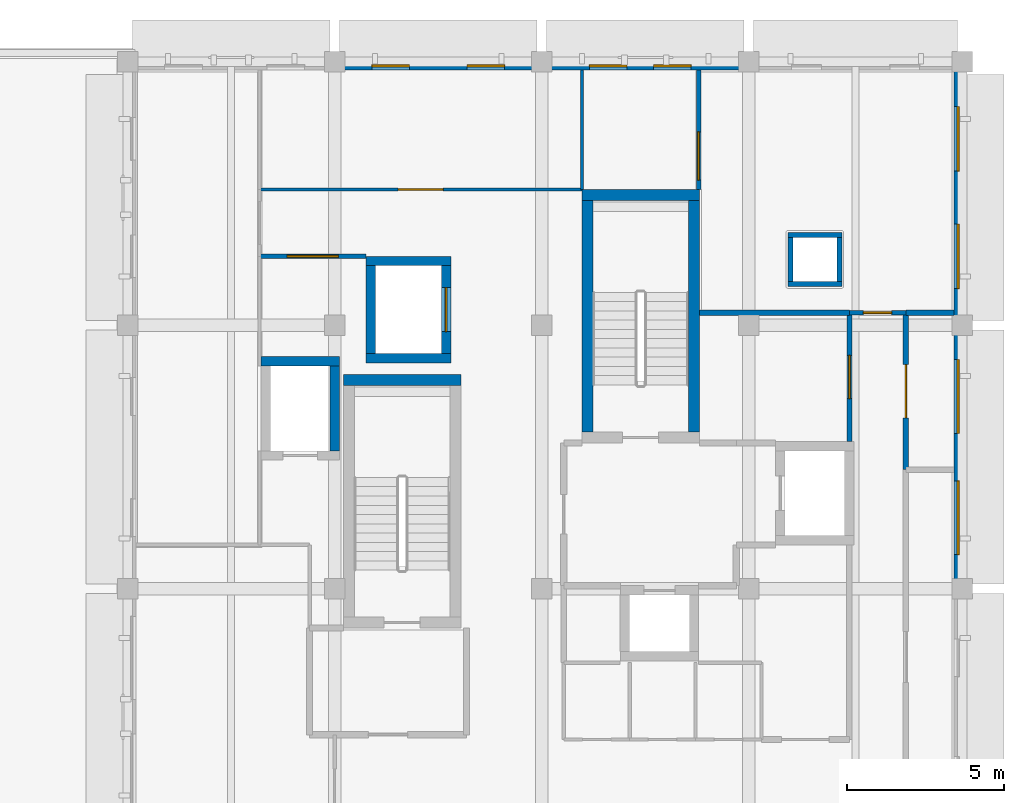
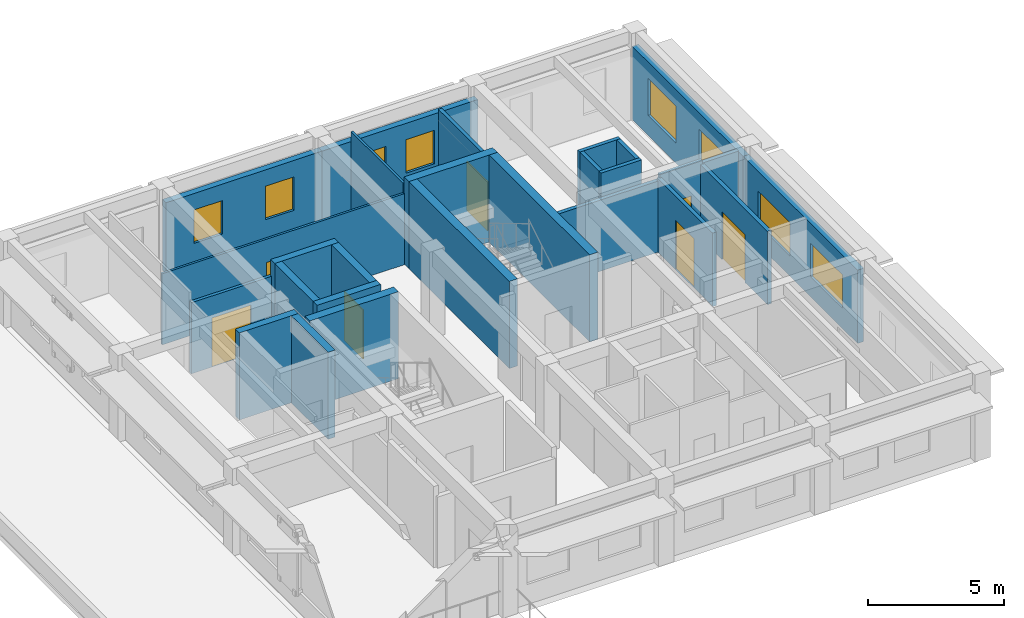
# One storey, part 4 of 7: 27 walls, 8 windows, 7 doors, 15 openings.
"""IFC4 building model written with IfcOpenShell, lengths in metres."""

from ifc_helpers import new_model, si_unit, direction, frame, frame_2d, origin, place, context, subcontext, project, spatial, rectangle, extrude, material, layer, layer_set, type_object, element, fill, save


model = new_model("IFC4")

# Units and contexts
model_context = context("Model", 3, precision=1e-05, world=origin(), true_north=direction((0.0, 1.0)))
body_context = subcontext(model_context, "Body", "Model", "MODEL_VIEW")
ifc_project = project(units=[si_unit("LENGTHUNIT", "METRE"), si_unit("AREAUNIT", "SQUARE_METRE"), si_unit("VOLUMEUNIT", "CUBIC_METRE"), si_unit("PLANEANGLEUNIT", "RADIAN"), si_unit("MASSUNIT", "GRAM", prefix="KILO")], contexts=[model_context])

# Site, building, storey
site_placement = place(None, origin())
site = spatial("IfcSite", under=ifc_project, at=site_placement, CompositionType="ELEMENT")
building_placement = place(site_placement, origin())
building = spatial("IfcBuilding", under=site, at=building_placement, Name="Kolvaren Faculty of Natural Sciences", CompositionType="ELEMENT")
storey_placement = place(building_placement, frame((0.0, 0.0, 32.699951171875)))
storey = spatial("IfcBuildingStorey", under=building, at=storey_placement, Name="L07", CompositionType="ELEMENT", Elevation=32.699951171875)

# Wall, opening, door
ifc_material_1 = material(Name="Acoustic mineral-wool insulated gypsum partition")
ifc_layer_1 = layer(ifc_material_1, 0.159912109375)
ifc_layer_set_1 = layer_set([ifc_layer_1], Name="Acoustic mineral-wool insulated gypsum partition")
wall_type_1 = type_object("IfcWallType", Name="ClassroomPartitionWall_160", PredefinedType="PARTITIONING", material=ifc_layer_set_1)
wall_1_placement = place(storey_placement, frame((168.39990234375, 76.199951171875, 0.0), z_axis=(0.0, 0.0, 1.0), x_axis=(0.0, -1.0, 0.0)))
wall_1 = element("IfcWall", 1, at=wall_1_placement, inside=storey, type_object=wall_type_1, Name="L07 interior partition PW-160", PredefinedType="PARTITIONING", context=body_context, shape_type="SweptSolid", body=[
    extrude(rectangle(XDim=4.097900390625, YDim=0.159912109375, at=frame_2d((2.048828125, 0.0))), origin(), (0.0, 0.0, 1.0), 3.28515625),
])
opening_1_placement = place(wall_1_placement, frame((1.35888671875, 0.0, 0.0)))
opening_1 = element("IfcOpeningElement", 2, at=opening_1_placement, cuts=wall_1, Name="Opening ID-31", PredefinedType="OPENING", context=body_context, shape_type="SweptSolid", body=[
    extrude(rectangle(XDim=1.3798828125, YDim=2.199951171875, at=frame_2d((0.68994140625, 1.10009765625))), frame((0.0, 0.08984375, 0.0), z_axis=(0.0, -1.0, 0.0), x_axis=(1.0, 0.0, 0.0)), (0.0, 0.0, 1.0), 0.179931640625),
])
ifc_material_2 = material(Name="Thermally broken anodised aluminium glazed door", Category="aluminium")
door_type_1 = type_object("IfcDoorType", Name="InteriorRoomDoor_1380x2200", OperationType="DOUBLE_DOOR_SINGLE_SWING", PredefinedType="DOOR", material=ifc_material_2)
door_1_placement = place(opening_1_placement, origin())
door_1 = element("IfcDoor", 3, at=door_1_placement, inside=storey, type_object=door_type_1, Name="D-L07-0361", OperationType="DOUBLE_DOOR_SINGLE_SWING", OverallHeight=2.199951171875, OverallWidth=1.3798828125, PredefinedType="DOOR", context=body_context, shape_type="SweptSolid", body=[
    extrude(rectangle(XDim=1.3798828125, YDim=2.199951171875, at=frame_2d((0.68994140625, 1.10009765625))), frame((0.0, 0.02490234375, 0.0), z_axis=(0.0, -1.0, 0.0), x_axis=(1.0, 0.0, 0.0)), (0.0, 0.0, 1.0), 0.050048828125),
])
fill(opening_1, door_1)

# Wall
wall_2_placement = place(storey_placement, frame((163.626953125, 76.199951171875, 0.0), z_axis=(0.0, 0.0, 1.0), x_axis=(1.0, 0.0, 0.0)))
element("IfcWall", 4, at=wall_2_placement, inside=storey, type_object=wall_type_1, Name="L07 interior partition PW-160", PredefinedType="PARTITIONING", context=body_context, shape_type="SweptSolid", body=[
    extrude(rectangle(XDim=4.77294921875, YDim=0.159912109375, at=frame_2d((2.386474609375, 0.0))), origin(), (0.0, 0.0, 1.0), 3.18505859375),
])

# Wall, opening, door
ifc_layer_2 = layer(ifc_material_1, 0.14501953125)
ifc_layer_set_2 = layer_set([ifc_layer_2], Name="Acoustic mineral-wool insulated gypsum partition")
wall_type_2 = type_object("IfcWallType", Name="CommonsPartitionWall_145", PredefinedType="PARTITIONING", material=ifc_layer_set_2)
wall_3_placement = place(storey_placement, frame((170.199951171875, 76.199951171875, 0.0), z_axis=(0.0, 0.0, 1.0), x_axis=(-1.0, 0.0, 0.0)))
wall_3 = element("IfcWall", 5, at=wall_3_placement, inside=storey, type_object=wall_type_2, Name="L07 interior partition PW-145", PredefinedType="PARTITIONING", context=body_context, shape_type="SweptSolid", body=[
    extrude(rectangle(XDim=1.800048828125, YDim=0.14501953125, at=frame_2d((0.89990234375, 0.0))), origin(), (0.0, 0.0, 1.0), 3.43505859375),
])
opening_2_placement = place(wall_3_placement, frame((0.449951171875, 0.0, 0.0)))
opening_2 = element("IfcOpeningElement", 6, at=opening_2_placement, cuts=wall_3, Name="Opening ID-01", PredefinedType="OPENING", context=body_context, shape_type="SweptSolid", body=[
    extrude(rectangle(XDim=0.89990234375, YDim=2.02001953125, at=frame_2d((0.449951171875, 1.010009765625))), frame((0.0, 0.08251953125, 0.0), z_axis=(0.0, -1.0, 0.0), x_axis=(1.0, 0.0, 0.0)), (0.0, 0.0, 1.0), 0.1650390625),
])
ifc_material_3 = material(Name="Solid-core hardwood veneer door leaf in steel frame", Category="steel")
door_type_2 = type_object("IfcDoorType", Name="InteriorRoomDoor_900x2020", OperationType="NOTDEFINED", PredefinedType="DOOR", material=ifc_material_3)
door_2_placement = place(opening_2_placement, origin())
door_2 = element("IfcDoor", 7, at=door_2_placement, inside=storey, type_object=door_type_2, Name="D-L07-0362", OperationType="SINGLE_SWING_RIGHT", OverallHeight=2.02001953125, OverallWidth=0.89990234375, PredefinedType="DOOR", context=body_context, shape_type="SweptSolid", body=[
    extrude(rectangle(XDim=0.89990234375, YDim=2.02001953125, at=frame_2d((0.449951171875, 1.010009765625))), frame((0.0, 0.02490234375, 0.0), z_axis=(0.0, -1.0, 0.0), x_axis=(1.0, 0.0, 0.0)), (0.0, 0.0, 1.0), 0.050048828125),
])
fill(opening_2, door_2)

wall_4_placement = place(storey_placement, frame((163.60009765625, 80.126953125, 0.0), z_axis=(0.0, 0.0, 1.0), x_axis=(0.0, 1.0, 0.0)))
wall_4 = element("IfcWall", 8, at=wall_4_placement, inside=storey, type_object=wall_type_2, Name="L07 interior partition PW-145", PredefinedType="PARTITIONING", context=body_context, shape_type="SweptSolid", body=[
    extrude(rectangle(XDim=3.81103515625, YDim=0.14501953125, at=frame_2d((1.905517578125, 0.0))), origin(), (0.0, 0.0, 1.0), 3.3349609375),
])
opening_3_placement = place(wall_4_placement, frame((0.297119140625, 0.0, 0.0)))
opening_3 = element("IfcOpeningElement", 9, at=opening_3_placement, cuts=wall_4, Name="Opening ID-33", PredefinedType="OPENING", context=body_context, shape_type="SweptSolid", body=[
    extrude(rectangle(XDim=1.5400390625, YDim=2.199951171875, at=frame_2d((0.77001953125, 1.10009765625))), frame((0.0, 0.08251953125, 0.0), z_axis=(0.0, -1.0, 0.0), x_axis=(1.0, 0.0, 0.0)), (0.0, 0.0, 1.0), 0.1650390625),
])
door_type_3 = type_object("IfcDoorType", Name="InteriorRoomDoor_1540x2200", OperationType="DOUBLE_DOOR_SINGLE_SWING", PredefinedType="DOOR", material=ifc_material_2)
door_3_placement = place(opening_3_placement, origin())
door_3 = element("IfcDoor", 10, at=door_3_placement, inside=storey, type_object=door_type_3, Name="D-L07-0363", OperationType="DOUBLE_DOOR_SINGLE_SWING", OverallHeight=2.199951171875, OverallWidth=1.5400390625, PredefinedType="DOOR", context=body_context, shape_type="SweptSolid", body=[
    extrude(rectangle(XDim=1.5400390625, YDim=2.199951171875, at=frame_2d((0.77001953125, 1.10009765625))), frame((0.0, 0.02490234375, 0.0), z_axis=(0.0, -1.0, 0.0), x_axis=(1.0, 0.0, 0.0)), (0.0, 0.0, 1.0), 0.050048828125),
])
fill(opening_3, door_3)

# Walls
ifc_material_4 = material(Name="Concrete C40/50", Category="concrete")
ifc_layer_3 = layer(ifc_material_4, 0.35009765625)
ifc_layer_set_3 = layer_set([ifc_layer_3], Name="Concrete C40/50")
wall_type_3 = type_object("IfcWallType", Name="CoreShearWall_350", PredefinedType="SHEAR", material=ifc_layer_set_3)
wall_5_placement = place(storey_placement, frame((159.875, 79.949951171875, 0.0), z_axis=(0.0, 0.0, 1.0), x_axis=(1.0, 0.0, 0.0)))
element("IfcWall", 11, at=wall_5_placement, inside=storey, type_object=wall_type_3, Name="L07 CORE-C1 stair shear wall N", PredefinedType="SHEAR", context=body_context, shape_type="SweptSolid", body=[
    extrude(rectangle(XDim=3.75, YDim=0.35009765625, at=frame_2d((1.875, 0.0))), origin(), (0.0, 0.0, 1.0), 3.900146484375),
])
for number, where, z_axis, x_axis, name in (
    (12, (160.050048828125, 72.39990234375, 0.0), (0.0, 0.0, 1.0), (0.0, 1.0, 0.0), "L07 CORE-C1 stair shear wall W"),
    (13, (163.449951171875, 72.39990234375, 0.0), (0.0, 0.0, 1.0), (0.0, 1.0, 0.0), "L07 CORE-C1 stair shear wall E"),
):
    element("IfcWall", number, at=place(storey_placement, frame(where, z_axis=z_axis, x_axis=x_axis)), inside=storey, type_object=wall_type_3, Name=name, PredefinedType="SHEAR", context=body_context, shape_type="SweptSolid", body=[
        extrude(rectangle(XDim=7.375, YDim=0.35009765625, at=frame_2d((3.6875, 0.0))), origin(), (0.0, 0.0, 1.0), 3.900146484375),
    ])
wall_6_placement = place(storey_placement, frame((152.27490234375, 74.050048828125, 0.0), z_axis=(0.0, 0.0, 1.0), x_axis=(1.0, 0.0, 0.0)))
element("IfcWall", 14, at=wall_6_placement, inside=storey, type_object=wall_type_3, Name="L07 CORE-C2 stair shear wall N", PredefinedType="SHEAR", context=body_context, shape_type="SweptSolid", body=[
    extrude(rectangle(XDim=3.75, YDim=0.35009765625, at=frame_2d((1.875, 0.0))), origin(), (0.0, 0.0, 1.0), 3.900146484375),
])
ifc_layer_4 = layer(ifc_material_1, 0.094970703125)
ifc_layer_set_4 = layer_set([ifc_layer_4], Name="Acoustic mineral-wool insulated gypsum partition")
wall_type_4 = type_object("IfcWallType", Name="CubiclePartition_095", PredefinedType="PARTITIONING", material=ifc_layer_set_4)
wall_7_placement = place(storey_placement, frame((159.875, 83.93798828125, 0.0), z_axis=(0.0, 0.0, 1.0), x_axis=(0.0, -1.0, 0.0)))
element("IfcWall", 15, at=wall_7_placement, inside=storey, type_object=wall_type_4, Name="L07 interior partition PW-095", PredefinedType="PARTITIONING", context=body_context, shape_type="SweptSolid", body=[
    extrude(rectangle(XDim=3.81103515625, YDim=0.094970703125, at=frame_2d((1.905517578125, 0.0))), origin(), (0.0, 0.0, 1.0), 3.635009765625),
])

# Wall, opening, door
wall_8_placement = place(storey_placement, frame((159.875, 80.125, 0.0), z_axis=(0.0, 0.0, 1.0), x_axis=(-1.0, 0.0, 0.0)))
wall_8 = element("IfcWall", 16, at=wall_8_placement, inside=storey, type_object=wall_type_4, Name="L07 interior partition PW-095", PredefinedType="PARTITIONING", context=body_context, shape_type="SweptSolid", body=[
    extrude(rectangle(XDim=10.27490234375, YDim=0.094970703125, at=frame_2d((5.137451171875, 0.0))), origin(), (0.0, 0.0, 1.0), 3.18505859375),
])
opening_4_placement = place(wall_8_placement, frame((4.41748046875, 0.0, 0.0)))
opening_4 = element("IfcOpeningElement", 17, at=opening_4_placement, cuts=wall_8, Name="Opening ID-27", PredefinedType="OPENING", context=body_context, shape_type="SweptSolid", body=[
    extrude(rectangle(XDim=1.43994140625, YDim=2.139892578125, at=frame_2d((0.719970703125, 1.06982421875))), frame((0.0, 0.057373046875, 0.0), z_axis=(0.0, -1.0, 0.0), x_axis=(1.0, 0.0, 0.0)), (0.0, 0.0, 1.0), 0.114990234375),
])
door_type_4 = type_object("IfcDoorType", Name="InteriorRoomDoor_1440x2140", OperationType="DOUBLE_DOOR_SINGLE_SWING", PredefinedType="DOOR", material=ifc_material_2)
door_4_placement = place(opening_4_placement, origin())
door_4 = element("IfcDoor", 18, at=door_4_placement, inside=storey, type_object=door_type_4, Name="D-L07-0357", OperationType="DOUBLE_DOOR_SINGLE_SWING", OverallHeight=2.139892578125, OverallWidth=1.43994140625, PredefinedType="DOOR", context=body_context, shape_type="SweptSolid", body=[
    extrude(rectangle(XDim=1.43994140625, YDim=2.139892578125, at=frame_2d((0.719970703125, 1.06982421875))), frame((0.0, 0.02490234375, 0.0), z_axis=(0.0, -1.0, 0.0), x_axis=(1.0, 0.0, 0.0)), (0.0, 0.0, 1.0), 0.050048828125),
])
fill(opening_4, door_4)

# Wall, openings, windows
ifc_material_5 = material(Name="Precast concrete C35/45", Category="concrete")
ifc_layer_5 = layer(ifc_material_5, 0.260009765625)
ifc_layer_set_5 = layer_set([ifc_layer_5], Name="Precast concrete C35/45")
wall_type_5 = type_object("IfcWallType", Name="ExteriorPrecastWall_260", PredefinedType="STANDARD", material=ifc_layer_set_5)
wall_9_placement = place(storey_placement, frame((171.8701171875, 83.93994140625, 0.0), z_axis=(0.0, 0.0, 1.0), x_axis=(0.0, -1.0, 0.0)))
wall_9 = element("IfcWall", 19, at=wall_9_placement, inside=storey, type_object=wall_type_5, Name="L07 exterior masonry wall EW-260 (712)", PredefinedType="STANDARD", context=body_context, shape_type="SweptSolid", body=[
    extrude(rectangle(XDim=8.139892578125, YDim=0.260009765625, at=frame_2d((4.06982421875, 0.0))), origin(), (0.0, 0.0, 1.0), 3.28515625),
])
opening_5_placement = place(wall_9_placement, frame((1.1728515625, 0.0, 0.89990234375)))
opening_5 = element("IfcOpeningElement", 20, at=opening_5_placement, cuts=wall_9, Name="Opening WIN-17", PredefinedType="OPENING", context=body_context, shape_type="SweptSolid", body=[
    extrude(rectangle(XDim=2.050048828125, YDim=1.64990234375, at=frame_2d((1.02490234375, 0.824951171875))), frame((0.0, 0.139892578125, 0.0), z_axis=(0.0, -1.0, 0.0), x_axis=(1.0, 0.0, 0.0)), (0.0, 0.0, 1.0), 0.280029296875),
])
opening_6_placement = place(wall_9_placement, frame((4.917236328125, 0.0, 0.89990234375)))
opening_6 = element("IfcOpeningElement", 21, at=opening_6_placement, cuts=wall_9, Name="Opening WIN-17", PredefinedType="OPENING", context=body_context, shape_type="SweptSolid", body=[
    extrude(rectangle(XDim=2.050048828125, YDim=1.64990234375, at=frame_2d((1.02490234375, 0.824951171875))), frame((0.0, 0.139892578125, 0.0), z_axis=(0.0, -1.0, 0.0), x_axis=(1.0, 0.0, 0.0)), (0.0, 0.0, 1.0), 0.280029296875),
])
ifc_material_6 = material(Name="Double low-E solar control insulated glazing", Category="glass")
window_type_1 = type_object("IfcWindowType", Name="AluWindow_WIN17_2050x1650", PartitioningType="SINGLE_PANEL", PredefinedType="WINDOW", material=ifc_material_6)
window_1_placement = place(opening_5_placement, origin())
window_1 = element("IfcWindow", 22, at=window_1_placement, inside=storey, type_object=window_type_1, Name="WIN-L07-0557", OverallHeight=1.64990234375, OverallWidth=2.050048828125, PartitioningType="SINGLE_PANEL", PredefinedType="WINDOW", context=body_context, shape_type="SweptSolid", body=[
    extrude(rectangle(XDim=2.050048828125, YDim=1.64990234375, at=frame_2d((1.02490234375, 0.824951171875))), frame((0.0, 0.030029296875, 0.0), z_axis=(0.0, -1.0, 0.0), x_axis=(1.0, 0.0, 0.0)), (0.0, 0.0, 1.0), 0.06005859375),
])
fill(opening_5, window_1)
window_2_placement = place(opening_6_placement, origin())
window_2 = element("IfcWindow", 23, at=window_2_placement, inside=storey, type_object=window_type_1, Name="WIN-L07-0558", OverallHeight=1.64990234375, OverallWidth=2.050048828125, PartitioningType="SINGLE_PANEL", PredefinedType="WINDOW", context=body_context, shape_type="SweptSolid", body=[
    extrude(rectangle(XDim=2.050048828125, YDim=1.64990234375, at=frame_2d((1.02490234375, 0.824951171875))), frame((0.0, 0.030029296875, 0.0), z_axis=(0.0, -1.0, 0.0), x_axis=(1.0, 0.0, 0.0)), (0.0, 0.0, 1.0), 0.06005859375),
])
fill(opening_6, window_2)

wall_10_placement = place(storey_placement, frame((171.8701171875, 75.800048828125, 0.0), z_axis=(0.0, 0.0, 1.0), x_axis=(0.0, -1.0, 0.0)))
wall_10 = element("IfcWall", 24, at=wall_10_placement, inside=storey, type_object=wall_type_5, Name="L07 exterior masonry wall EW-260 (713)", PredefinedType="STANDARD", context=body_context, shape_type="SweptSolid", body=[
    extrude(rectangle(XDim=8.400146484375, YDim=0.260009765625, at=frame_2d((4.2001953125, 0.0))), origin(), (0.0, 0.0, 1.0), 3.28515625),
])
opening_7_placement = place(wall_10_placement, frame((1.093017578125, 0.0, 0.89990234375)))
opening_7 = element("IfcOpeningElement", 25, at=opening_7_placement, cuts=wall_10, Name="Opening WIN-18", PredefinedType="OPENING", context=body_context, shape_type="SweptSolid", body=[
    extrude(rectangle(XDim=2.35009765625, YDim=1.5, at=frame_2d((1.175048828125, 0.75))), frame((0.0, 0.139892578125, 0.0), z_axis=(0.0, -1.0, 0.0), x_axis=(1.0, 0.0, 0.0)), (0.0, 0.0, 1.0), 0.280029296875),
])
opening_8_placement = place(wall_10_placement, frame((4.95703125, 0.0, 0.89990234375)))
opening_8 = element("IfcOpeningElement", 26, at=opening_8_placement, cuts=wall_10, Name="Opening WIN-18", PredefinedType="OPENING", context=body_context, shape_type="SweptSolid", body=[
    extrude(rectangle(XDim=2.35009765625, YDim=1.5, at=frame_2d((1.175048828125, 0.75))), frame((0.0, 0.139892578125, 0.0), z_axis=(0.0, -1.0, 0.0), x_axis=(1.0, 0.0, 0.0)), (0.0, 0.0, 1.0), 0.280029296875),
])
window_type_2 = type_object("IfcWindowType", Name="AluWindow_WIN18_2350x1500", PartitioningType="SINGLE_PANEL", PredefinedType="WINDOW", material=ifc_material_6)
window_3_placement = place(opening_7_placement, origin())
window_3 = element("IfcWindow", 27, at=window_3_placement, inside=storey, type_object=window_type_2, Name="WIN-L07-0559", OverallHeight=1.5, OverallWidth=2.35009765625, PartitioningType="SINGLE_PANEL", PredefinedType="WINDOW", context=body_context, shape_type="SweptSolid", body=[
    extrude(rectangle(XDim=2.35009765625, YDim=1.5, at=frame_2d((1.175048828125, 0.75))), frame((0.0, 0.030029296875, 0.0), z_axis=(0.0, -1.0, 0.0), x_axis=(1.0, 0.0, 0.0)), (0.0, 0.0, 1.0), 0.06005859375),
])
fill(opening_7, window_3)
window_4_placement = place(opening_8_placement, origin())
window_4 = element("IfcWindow", 28, at=window_4_placement, inside=storey, type_object=window_type_2, Name="WIN-L07-0560", OverallHeight=1.5, OverallWidth=2.35009765625, PartitioningType="SINGLE_PANEL", PredefinedType="WINDOW", context=body_context, shape_type="SweptSolid", body=[
    extrude(rectangle(XDim=2.35009765625, YDim=1.5, at=frame_2d((1.175048828125, 0.75))), frame((0.0, 0.030029296875, 0.0), z_axis=(0.0, -1.0, 0.0), x_axis=(1.0, 0.0, 0.0)), (0.0, 0.0, 1.0), 0.06005859375),
])
fill(opening_8, window_4)

wall_11_placement = place(storey_placement, frame((152.0, 84.070068359375, 0.0), z_axis=(0.0, 0.0, 1.0), x_axis=(1.0, 0.0, 0.0)))
wall_11 = element("IfcWall", 29, at=wall_11_placement, inside=storey, type_object=wall_type_5, Name="L07 exterior masonry wall EW-260 (716)", PredefinedType="STANDARD", context=body_context, shape_type="SweptSolid", body=[
    extrude(rectangle(XDim=6.60009765625, YDim=0.260009765625, at=frame_2d((3.300048828125, 0.0))), origin(), (0.0, 0.0, 1.0), 3.18505859375),
])
opening_9_placement = place(wall_11_placement, frame((1.181884765625, 0.0, 0.949951171875)))
opening_9 = element("IfcOpeningElement", 30, at=opening_9_placement, cuts=wall_11, Name="Opening WIN-13", PredefinedType="OPENING", context=body_context, shape_type="SweptSolid", body=[
    extrude(rectangle(XDim=1.199951171875, YDim=1.5, at=frame_2d((0.60009765625, 0.75))), frame((0.0, 0.139892578125, 0.0), z_axis=(0.0, -1.0, 0.0), x_axis=(1.0, 0.0, 0.0)), (0.0, 0.0, 1.0), 0.280029296875),
])
opening_10_placement = place(wall_11_placement, frame((4.218017578125, 0.0, 0.949951171875)))
opening_10 = element("IfcOpeningElement", 31, at=opening_10_placement, cuts=wall_11, Name="Opening WIN-13", PredefinedType="OPENING", context=body_context, shape_type="SweptSolid", body=[
    extrude(rectangle(XDim=1.199951171875, YDim=1.5, at=frame_2d((0.60009765625, 0.75))), frame((0.0, 0.139892578125, 0.0), z_axis=(0.0, -1.0, 0.0), x_axis=(1.0, 0.0, 0.0)), (0.0, 0.0, 1.0), 0.280029296875),
])
window_type_3 = type_object("IfcWindowType", Name="AluWindow_WIN13_1200x1500", PartitioningType="SINGLE_PANEL", PredefinedType="WINDOW", material=ifc_material_6)
window_5_placement = place(opening_9_placement, origin())
window_5 = element("IfcWindow", 32, at=window_5_placement, inside=storey, type_object=window_type_3, Name="WIN-L07-0565", OverallHeight=1.5, OverallWidth=1.199951171875, PartitioningType="SINGLE_PANEL", PredefinedType="WINDOW", context=body_context, shape_type="SweptSolid", body=[
    extrude(rectangle(XDim=1.199951171875, YDim=1.5, at=frame_2d((0.60009765625, 0.75))), frame((0.0, 0.030029296875, 0.0), z_axis=(0.0, -1.0, 0.0), x_axis=(1.0, 0.0, 0.0)), (0.0, 0.0, 1.0), 0.06005859375),
])
fill(opening_9, window_5)
window_6_placement = place(opening_10_placement, origin())
window_6 = element("IfcWindow", 33, at=window_6_placement, inside=storey, type_object=window_type_3, Name="WIN-L07-0566", OverallHeight=1.5, OverallWidth=1.199951171875, PartitioningType="SINGLE_PANEL", PredefinedType="WINDOW", context=body_context, shape_type="SweptSolid", body=[
    extrude(rectangle(XDim=1.199951171875, YDim=1.5, at=frame_2d((0.60009765625, 0.75))), frame((0.0, 0.030029296875, 0.0), z_axis=(0.0, -1.0, 0.0), x_axis=(1.0, 0.0, 0.0)), (0.0, 0.0, 1.0), 0.06005859375),
])
fill(opening_10, window_6)

wall_12_placement = place(storey_placement, frame((158.60009765625, 84.070068359375, 0.0), z_axis=(0.0, 0.0, 1.0), x_axis=(1.0, 0.0, 0.0)))
wall_12 = element("IfcWall", 34, at=wall_12_placement, inside=storey, type_object=wall_type_5, Name="L07 exterior masonry wall EW-260 (717)", PredefinedType="STANDARD", context=body_context, shape_type="SweptSolid", body=[
    extrude(rectangle(XDim=6.599853515625, YDim=0.260009765625, at=frame_2d((3.2998046875, 0.0))), origin(), (0.0, 0.0, 1.0), 3.18505859375),
])
opening_11_placement = place(wall_12_placement, frame((1.514892578125, 0.0, 0.949951171875)))
opening_11 = element("IfcOpeningElement", 35, at=opening_11_placement, cuts=wall_12, Name="Opening WIN-13", PredefinedType="OPENING", context=body_context, shape_type="SweptSolid", body=[
    extrude(rectangle(XDim=1.199951171875, YDim=1.5, at=frame_2d((0.60009765625, 0.75))), frame((0.0, 0.139892578125, 0.0), z_axis=(0.0, -1.0, 0.0), x_axis=(1.0, 0.0, 0.0)), (0.0, 0.0, 1.0), 0.280029296875),
])
opening_12_placement = place(wall_12_placement, frame((3.56005859375, 0.0, 0.949951171875)))
opening_12 = element("IfcOpeningElement", 36, at=opening_12_placement, cuts=wall_12, Name="Opening WIN-13", PredefinedType="OPENING", context=body_context, shape_type="SweptSolid", body=[
    extrude(rectangle(XDim=1.199951171875, YDim=1.5, at=frame_2d((0.60009765625, 0.75))), frame((0.0, 0.139892578125, 0.0), z_axis=(0.0, -1.0, 0.0), x_axis=(1.0, 0.0, 0.0)), (0.0, 0.0, 1.0), 0.280029296875),
])
window_7_placement = place(opening_11_placement, origin())
window_7 = element("IfcWindow", 37, at=window_7_placement, inside=storey, type_object=window_type_3, Name="WIN-L07-0567", OverallHeight=1.5, OverallWidth=1.199951171875, PartitioningType="SINGLE_PANEL", PredefinedType="WINDOW", context=body_context, shape_type="SweptSolid", body=[
    extrude(rectangle(XDim=1.199951171875, YDim=1.5, at=frame_2d((0.60009765625, 0.75))), frame((0.0, 0.030029296875, 0.0), z_axis=(0.0, -1.0, 0.0), x_axis=(1.0, 0.0, 0.0)), (0.0, 0.0, 1.0), 0.06005859375),
])
fill(opening_11, window_7)
window_8_placement = place(opening_12_placement, origin())
window_8 = element("IfcWindow", 38, at=window_8_placement, inside=storey, type_object=window_type_3, Name="WIN-L07-0568", OverallHeight=1.5, OverallWidth=1.199951171875, PartitioningType="SINGLE_PANEL", PredefinedType="WINDOW", context=body_context, shape_type="SweptSolid", body=[
    extrude(rectangle(XDim=1.199951171875, YDim=1.5, at=frame_2d((0.60009765625, 0.75))), frame((0.0, 0.030029296875, 0.0), z_axis=(0.0, -1.0, 0.0), x_axis=(1.0, 0.0, 0.0)), (0.0, 0.0, 1.0), 0.06005859375),
])
fill(opening_12, window_8)

# Wall, opening, door
ifc_layer_6 = layer(ifc_material_1, 0.1298828125)
ifc_layer_set_6 = layer_set([ifc_layer_6], Name="Acoustic mineral-wool insulated gypsum partition")
wall_type_6 = type_object("IfcWallType", Name="OfficePartitionWall_130", PredefinedType="PARTITIONING", material=ifc_layer_set_6)
wall_13_placement = place(storey_placement, frame((149.60009765625, 78.0, 0.0), z_axis=(0.0, 0.0, 1.0), x_axis=(1.0, 0.0, 0.0)))
wall_13 = element("IfcWall", 39, at=wall_13_placement, inside=storey, type_object=wall_type_6, Name="L07 interior partition PW-130", PredefinedType="PARTITIONING", context=body_context, shape_type="SweptSolid", body=[
    extrude(rectangle(XDim=3.39990234375, YDim=0.1298828125, at=frame_2d((1.699951171875, 0.0))), origin(), (0.0, 0.0, 1.0), 3.18505859375),
])
opening_13_placement = place(wall_13_placement, frame((0.8798828125, 0.0, 0.0)))
opening_13 = element("IfcOpeningElement", 40, at=opening_13_placement, cuts=wall_13, Name="Opening ID-34", PredefinedType="OPENING", context=body_context, shape_type="SweptSolid", body=[
    extrude(rectangle(XDim=1.639892578125, YDim=2.199951171875, at=frame_2d((0.81982421875, 1.10009765625))), frame((0.0, 0.074951171875, 0.0), z_axis=(0.0, -1.0, 0.0), x_axis=(1.0, 0.0, 0.0)), (0.0, 0.0, 1.0), 0.14990234375),
])
door_type_5 = type_object("IfcDoorType", Name="InteriorRoomDoor_1640x2200", OperationType="DOUBLE_DOOR_SINGLE_SWING", PredefinedType="DOOR", material=ifc_material_2)
door_5_placement = place(opening_13_placement, origin())
door_5 = element("IfcDoor", 41, at=door_5_placement, inside=storey, type_object=door_type_5, Name="D-L07-0364", OperationType="DOUBLE_DOOR_SINGLE_SWING", OverallHeight=2.199951171875, OverallWidth=1.639892578125, PredefinedType="DOOR", context=body_context, shape_type="SweptSolid", body=[
    extrude(rectangle(XDim=1.639892578125, YDim=2.199951171875, at=frame_2d((0.81982421875, 1.10009765625))), frame((0.0, 0.02490234375, 0.0), z_axis=(0.0, -1.0, 0.0), x_axis=(1.0, 0.0, 0.0)), (0.0, 0.0, 1.0), 0.050048828125),
])
fill(opening_13, door_5)

# Walls
ifc_material_7 = material(Name="Double fire-rated gypsum board on 100 mm steel stud", Category="steel")
ifc_layer_7 = layer(ifc_material_7, 0.159912109375)
ifc_layer_set_7 = layer_set([ifc_layer_7], Name="Double fire-rated gypsum board on 100 mm steel stud")
wall_type_7 = type_object("IfcWallType", Name="RiserShaftWall_160", PredefinedType="PARTITIONING", material=ifc_layer_set_7)
for number, where, z_axis, x_axis, name in (
    (42, (166.43994140625, 77.1201171875, 0.0), (0.0, 0.0, 1.0), (1.0, 0.0, 0.0), "L07 service riser shaft wall S"),
    (43, (166.43994140625, 78.679931640625, 0.0), (0.0, 0.0, 1.0), (1.0, 0.0, 0.0), "L07 service riser shaft wall N"),
):
    element("IfcWall", number, at=place(storey_placement, frame(where, z_axis=z_axis, x_axis=x_axis)), inside=storey, type_object=wall_type_7, Name=name, PredefinedType="PARTITIONING", context=body_context, shape_type="SweptSolid", body=[
        extrude(rectangle(XDim=1.719970703125, YDim=0.159912109375, at=frame_2d((0.85986328125, 0.0))), origin(), (0.0, 0.0, 1.0), 3.635009765625),
    ])
for number, where, z_axis, x_axis, name in (
    (44, (166.52001953125, 77.199951171875, 0.0), (0.0, 0.0, 1.0), (0.0, 1.0, 0.0), "L07 service riser shaft wall W"),
    (45, (168.080078125, 77.199951171875, 0.0), (0.0, 0.0, 1.0), (0.0, 1.0, 0.0), "L07 service riser shaft wall E"),
):
    element("IfcWall", number, at=place(storey_placement, frame(where, z_axis=z_axis, x_axis=x_axis)), inside=storey, type_object=wall_type_7, Name=name, PredefinedType="PARTITIONING", context=body_context, shape_type="SweptSolid", body=[
        extrude(rectangle(XDim=1.400146484375, YDim=0.159912109375, at=frame_2d((0.7001953125, 0.0))), origin(), (0.0, 0.0, 1.0), 3.635009765625),
    ])
ifc_layer_8 = layer(ifc_material_1, 0.169921875)
ifc_layer_set_8 = layer_set([ifc_layer_8], Name="Acoustic mineral-wool insulated gypsum partition")
wall_type_8 = type_object("IfcWallType", Name="SeminarPartitionWall_170", PredefinedType="PARTITIONING", material=ifc_layer_set_8)
wall_14_placement = place(storey_placement, frame((170.199951171875, 76.199951171875, 0.0), z_axis=(0.0, 0.0, 1.0), x_axis=(1.0, 0.0, 0.0)))
element("IfcWall", 46, at=wall_14_placement, inside=storey, type_object=wall_type_8, Name="L07 interior partition PW-170", PredefinedType="PARTITIONING", context=body_context, shape_type="SweptSolid", body=[
    extrude(rectangle(XDim=1.5380859375, YDim=0.169921875, at=frame_2d((0.76904296875, 0.0))), origin(), (0.0, 0.0, 1.0), 3.3349609375),
])

# Wall, opening, door
wall_15_placement = place(storey_placement, frame((170.199951171875, 71.199951171875, 0.0), z_axis=(0.0, 0.0, 1.0), x_axis=(0.0, 1.0, 0.0)))
wall_15 = element("IfcWall", 47, at=wall_15_placement, inside=storey, type_object=wall_type_8, Name="L07 interior partition PW-170", PredefinedType="PARTITIONING", context=body_context, shape_type="SweptSolid", body=[
    extrude(rectangle(XDim=5.0, YDim=0.169921875, at=frame_2d((2.5, 0.0))), origin(), (0.0, 0.0, 1.0), 3.28515625),
])
opening_14_placement = place(wall_15_placement, frame((1.64990234375, 0.0, 0.0)))
opening_14 = element("IfcOpeningElement", 48, at=opening_14_placement, cuts=wall_15, Name="Opening ID-30", PredefinedType="OPENING", context=body_context, shape_type="SweptSolid", body=[
    extrude(rectangle(XDim=1.699951171875, YDim=2.139892578125, at=frame_2d((0.85009765625, 1.06982421875))), frame((0.0, 0.094970703125, 0.0), z_axis=(0.0, -1.0, 0.0), x_axis=(1.0, 0.0, 0.0)), (0.0, 0.0, 1.0), 0.18994140625),
])
door_type_6 = type_object("IfcDoorType", Name="InteriorRoomDoor_1700x2140", OperationType="DOUBLE_DOOR_SINGLE_SWING", PredefinedType="DOOR", material=ifc_material_2)
door_6_placement = place(opening_14_placement, origin())
door_6 = element("IfcDoor", 49, at=door_6_placement, inside=storey, type_object=door_type_6, Name="D-L07-0360", OperationType="DOUBLE_DOOR_SINGLE_SWING", OverallHeight=2.139892578125, OverallWidth=1.699951171875, PredefinedType="DOOR", context=body_context, shape_type="SweptSolid", body=[
    extrude(rectangle(XDim=1.699951171875, YDim=2.139892578125, at=frame_2d((0.85009765625, 1.06982421875))), frame((0.0, 0.02490234375, 0.0), z_axis=(0.0, -1.0, 0.0), x_axis=(1.0, 0.0, 0.0)), (0.0, 0.0, 1.0), 0.050048828125),
])
fill(opening_14, door_6)

# Walls
ifc_layer_9 = layer(ifc_material_4, 0.300048828125)
ifc_layer_set_9 = layer_set([ifc_layer_9], Name="Concrete C40/50")
wall_type_9 = type_object("IfcWallType", Name="ShaftShearWall_300", PredefinedType="SHEAR", material=ifc_layer_set_9)
wall_16_placement = place(storey_placement, frame((149.64990234375, 74.64990234375, 0.0), z_axis=(0.0, 0.0, 1.0), x_axis=(1.0, 0.0, 0.0)))
element("IfcWall", 50, at=wall_16_placement, inside=storey, type_object=wall_type_9, Name="L07 lift FL-2 shaft wall N", PredefinedType="SHEAR", context=body_context, shape_type="SweptSolid", body=[
    extrude(rectangle(XDim=2.5, YDim=0.300048828125, at=frame_2d((1.25, 0.0))), origin(), (0.0, 0.0, 1.0), 3.900146484375),
])
for number, where, z_axis, x_axis, name in (
    (51, (152.0, 71.800048828125, 0.0), (0.0, 0.0, 1.0), (0.0, 1.0, 0.0), "L07 lift FL-2 shaft wall E"),
    (52, (153.0, 74.75, 0.0), (0.0, 0.0, 1.0), (1.0, 0.0, 0.0), "L07 lift GL-2 shaft wall S"),
    (53, (153.0, 77.85009765625, 0.0), (0.0, 0.0, 1.0), (1.0, 0.0, 0.0), "L07 lift GL-2 shaft wall N"),
):
    element("IfcWall", number, at=place(storey_placement, frame(where, z_axis=z_axis, x_axis=x_axis)), inside=storey, type_object=wall_type_9, Name=name, PredefinedType="SHEAR", context=body_context, shape_type="SweptSolid", body=[
        extrude(rectangle(XDim=2.699951171875, YDim=0.300048828125, at=frame_2d((1.35009765625, 0.0))), origin(), (0.0, 0.0, 1.0), 3.900146484375),
    ])
wall_17_placement = place(storey_placement, frame((153.14990234375, 74.89990234375, 0.0), z_axis=(0.0, 0.0, 1.0), x_axis=(0.0, 1.0, 0.0)))
element("IfcWall", 54, at=wall_17_placement, inside=storey, type_object=wall_type_9, Name="L07 lift GL-2 shaft wall W", PredefinedType="SHEAR", context=body_context, shape_type="SweptSolid", body=[
    extrude(rectangle(XDim=2.800048828125, YDim=0.300048828125, at=frame_2d((1.39990234375, 0.0))), origin(), (0.0, 0.0, 1.0), 3.900146484375),
])

# Wall, opening, door
wall_18_placement = place(storey_placement, frame((155.550048828125, 74.89990234375, 0.0), z_axis=(0.0, 0.0, 1.0), x_axis=(0.0, 1.0, 0.0)))
wall_18 = element("IfcWall", 55, at=wall_18_placement, inside=storey, type_object=wall_type_9, Name="L07 lift GL-2 shaft wall E", PredefinedType="SHEAR", context=body_context, shape_type="SweptSolid", body=[
    extrude(rectangle(XDim=2.800048828125, YDim=0.300048828125, at=frame_2d((1.39990234375, 0.0))), origin(), (0.0, 0.0, 1.0), 3.900146484375),
])
opening_15_placement = place(wall_18_placement, frame((0.699951171875, 0.0, 0.0)))
opening_15 = element("IfcOpeningElement", 56, at=opening_15_placement, cuts=wall_18, Name="Opening LD-03", PredefinedType="OPENING", context=body_context, shape_type="SweptSolid", body=[
    extrude(rectangle(XDim=1.39990234375, YDim=2.199951171875, at=frame_2d((0.699951171875, 1.10009765625))), frame((0.0, 0.159912109375, 0.0), z_axis=(0.0, -1.0, 0.0), x_axis=(1.0, 0.0, 0.0)), (0.0, 0.0, 1.0), 0.320068359375),
])
ifc_material_8 = material(Name="Brushed stainless steel lift car and sliding door assembly", Category="steel")
door_type_7 = type_object("IfcDoorType", Name="GoodsLiftSliding_1400x2200", OperationType="DOUBLE_DOOR_SLIDING", PredefinedType="DOOR", material=ifc_material_8)
door_7_placement = place(opening_15_placement, origin())
door_7 = element("IfcDoor", 57, at=door_7_placement, inside=storey, type_object=door_type_7, Name="D-LIFT-GL-2-L07", OperationType="DOUBLE_DOOR_SLIDING", OverallHeight=2.199951171875, OverallWidth=1.39990234375, PredefinedType="DOOR", context=body_context, shape_type="SweptSolid", body=[
    extrude(rectangle(XDim=1.39990234375, YDim=2.199951171875, at=frame_2d((0.699951171875, 1.10009765625))), frame((0.0, 0.02490234375, 0.0), z_axis=(0.0, -1.0, 0.0), x_axis=(1.0, 0.0, 0.0)), (0.0, 0.0, 1.0), 0.050048828125),
])
fill(opening_15, door_7)

save(model, "model.ifc")
